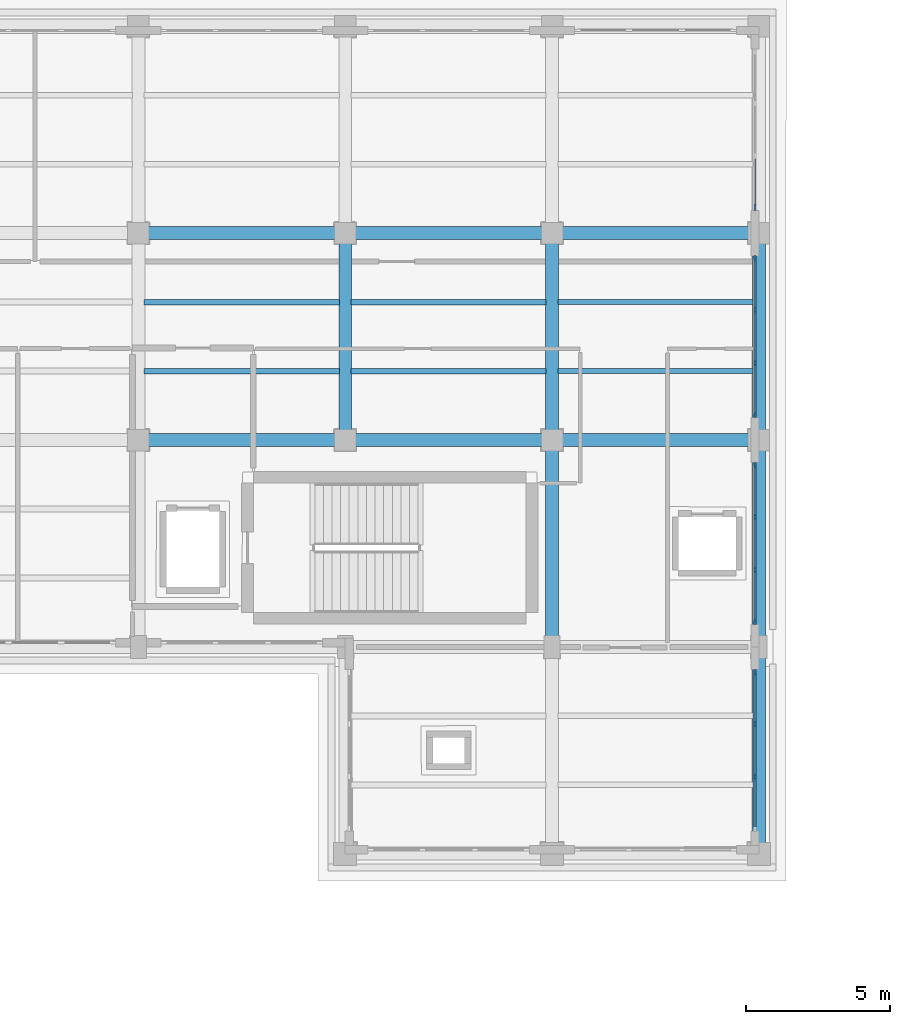
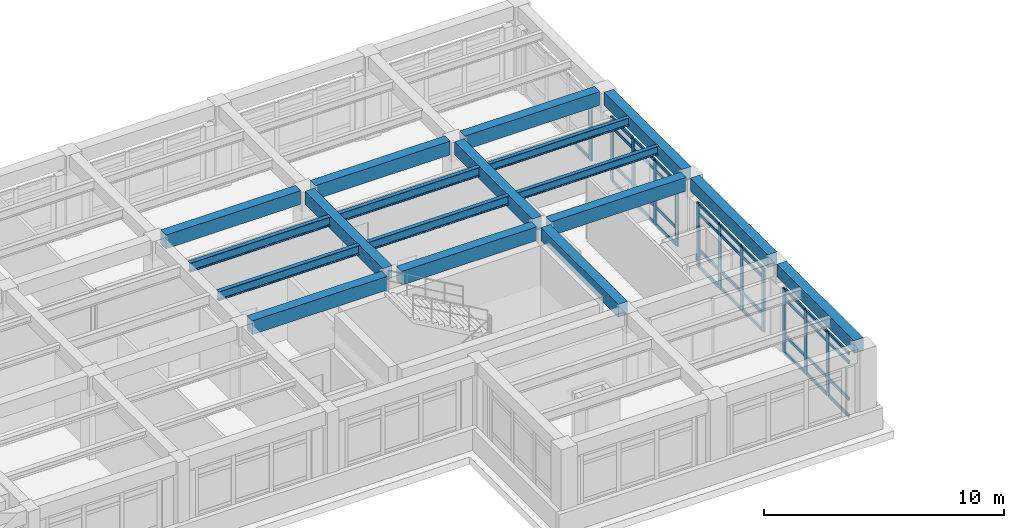
# One storey, part 28 of 67: 49 members, 18 beams, 4 elements without a shape of their own.
"""IFC4 building model written with IfcOpenShell, lengths in metres."""

from ifc_helpers import new_model, si_unit, direction, frame, origin, origin_2d, place, context, subcontext, project, spatial, rectangle, i_section, extrude, material, layer, layer_set, material_profile, profile_set, type_object, element, aggregate, save


model = new_model("IFC4")

# Units and contexts
model_context = context("Model", 3, precision=1e-05, world=origin(), true_north=direction((0.0, 1.0)))
body_context = subcontext(model_context, "Body", "Model", "MODEL_VIEW")
ifc_project = project(units=[si_unit("LENGTHUNIT", "METRE"), si_unit("AREAUNIT", "SQUARE_METRE"), si_unit("VOLUMEUNIT", "CUBIC_METRE"), si_unit("PLANEANGLEUNIT", "RADIAN"), si_unit("MASSUNIT", "GRAM", prefix="KILO")], contexts=[model_context])

# Site, building, storey
site_placement = place(None, origin())
site = spatial("IfcSite", under=ifc_project, at=site_placement, CompositionType="ELEMENT")
building_placement = place(site_placement, origin())
building = spatial("IfcBuilding", under=site, at=building_placement, Name="Solenvale Faculty of Natural Sciences", CompositionType="ELEMENT")
storey_placement = place(building_placement, frame((0.0, 0.0, 13.5)))
storey = spatial("IfcBuildingStorey", under=building, at=storey_placement, Name="L03", CompositionType="ELEMENT", Elevation=13.5)

# Beams
ifc_material_1 = material(Name="Concrete 40 MPa", Category="concrete")
ifc_material_profile_1 = material_profile(ifc_material_1, rectangle(XDim=0.449951171875, YDim=0.64990234375, at=origin_2d()), Name="RC-BM-450x650")
ifc_profile_set_1 = profile_set([ifc_material_profile_1], Name="Concrete 40 MPa")
beam_type_1 = type_object("IfcBeamType", Name="BM-RC-450x650", PredefinedType="BEAM", material=ifc_profile_set_1)
beam_1_placement = place(storey_placement, frame((136.800048828125, 101.155029296875, 3.89501953125), z_axis=(0.0, 1.0, 0.0), x_axis=(-1.0, 0.0, 0.0)))
element("IfcBeam", 1, at=beam_1_placement, inside=storey, type_object=beam_type_1, Name="L03 Y-Girder X136.8 (100.8..108.0)", PredefinedType="BEAM", context=body_context, shape_type="SweptSolid", body=[
    extrude(rectangle(XDim=0.449951171875, YDim=0.64990234375, at=origin_2d()), origin(), (0.0, 0.0, 1.0), 6.489990234375),
])
beam_2_placement = place(storey_placement, frame((144.0, 93.97998046875, 3.89501953125), z_axis=(0.0, 1.0, 0.0), x_axis=(-1.0, 0.0, 0.0)))
element("IfcBeam", 2, at=beam_2_placement, inside=storey, type_object=beam_type_1, Name="L03 Y-Girder X144.0 (93.6..100.8)", PredefinedType="BEAM", context=body_context, shape_type="SweptSolid", body=[
    extrude(rectangle(XDim=0.449951171875, YDim=0.64990234375, at=origin_2d()), origin(), (0.0, 0.0, 1.0), 6.465087890625),
])
beam_3_placement = place(storey_placement, frame((144.0, 101.155029296875, 3.89501953125), z_axis=(0.0, 1.0, 0.0), x_axis=(-1.0, 0.0, 0.0)))
element("IfcBeam", 3, at=beam_3_placement, inside=storey, type_object=beam_type_1, Name="L03 Y-Girder X144.0 (100.8..108.0)", PredefinedType="BEAM", context=body_context, shape_type="SweptSolid", body=[
    extrude(rectangle(XDim=0.449951171875, YDim=0.64990234375, at=origin_2d()), origin(), (0.0, 0.0, 1.0), 6.489990234375),
])
beam_4_placement = place(storey_placement, frame((151.199951171875, 86.780029296875, 3.89501953125), z_axis=(0.0, 1.0, 0.0), x_axis=(-1.0, 0.0, 0.0)))
element("IfcBeam", 4, at=beam_4_placement, inside=storey, type_object=beam_type_1, Name="L03 Y-Girder X151.2 (86.4..93.6)", PredefinedType="BEAM", context=body_context, shape_type="SweptSolid", body=[
    extrude(rectangle(XDim=0.449951171875, YDim=0.64990234375, at=origin_2d()), origin(), (0.0, 0.0, 1.0), 6.43994140625),
])
beam_5_placement = place(storey_placement, frame((151.199951171875, 93.97998046875, 3.89501953125), z_axis=(0.0, 1.0, 0.0), x_axis=(-1.0, 0.0, 0.0)))
element("IfcBeam", 5, at=beam_5_placement, inside=storey, type_object=beam_type_1, Name="L03 Y-Girder X151.2 (93.6..100.8)", PredefinedType="BEAM", context=body_context, shape_type="SweptSolid", body=[
    extrude(rectangle(XDim=0.449951171875, YDim=0.64990234375, at=origin_2d()), origin(), (0.0, 0.0, 1.0), 6.465087890625),
])
beam_6_placement = place(storey_placement, frame((151.199951171875, 101.155029296875, 3.89501953125), z_axis=(0.0, 1.0, 0.0), x_axis=(-1.0, 0.0, 0.0)))
element("IfcBeam", 6, at=beam_6_placement, inside=storey, type_object=beam_type_1, Name="L03 Y-Girder X151.2 (100.8..108.0)", PredefinedType="BEAM", context=body_context, shape_type="SweptSolid", body=[
    extrude(rectangle(XDim=0.449951171875, YDim=0.64990234375, at=origin_2d()), origin(), (0.0, 0.0, 1.0), 6.489990234375),
])
ifc_material_profile_2 = material_profile(ifc_material_1, rectangle(XDim=0.449951171875, YDim=0.699951171875, at=origin_2d()), Name="RC-BM-450x700")
ifc_profile_set_2 = profile_set([ifc_material_profile_2], Name="Concrete 40 MPa")
beam_type_2 = type_object("IfcBeamType", Name="BM-RC-450x700", PredefinedType="BEAM", material=ifc_profile_set_2)
for number, where, z_axis, x_axis, name in (
    (7, (129.955078125, 100.800048828125, 3.8701171875), (1.0, 0.0, 0.0), (0.0, 1.0, 0.0), "L03 X-Girder Y100.8 (129.6..136.8)"),
    (8, (137.155029296875, 100.800048828125, 3.8701171875), (1.0, 0.0, 0.0), (0.0, 1.0, 0.0), "L03 X-Girder Y100.8 (136.8..144.0)"),
    (9, (144.35498046875, 100.800048828125, 3.8701171875), (1.0, 0.0, 0.0), (0.0, 1.0, 0.0), "L03 X-Girder Y100.8 (144.0..151.2)"),
    (10, (129.955078125, 108.0, 3.8701171875), (1.0, 0.0, 0.0), (0.0, 1.0, 0.0), "L03 X-Girder Y108.0 (129.6..136.8)"),
    (11, (137.155029296875, 108.0, 3.8701171875), (1.0, 0.0, 0.0), (0.0, 1.0, 0.0), "L03 X-Girder Y108.0 (136.8..144.0)"),
    (12, (144.35498046875, 108.0, 3.8701171875), (1.0, 0.0, 0.0), (0.0, 1.0, 0.0), "L03 X-Girder Y108.0 (144.0..151.2)"),
):
    element("IfcBeam", number, at=place(storey_placement, frame(where, z_axis=z_axis, x_axis=x_axis)), inside=storey, type_object=beam_type_2, Name=name, PredefinedType="BEAM", context=body_context, shape_type="SweptSolid", body=[
        extrude(rectangle(XDim=0.449951171875, YDim=0.699951171875, at=origin_2d()), origin(), (0.0, 0.0, 1.0), 6.489990234375),
    ])
ifc_material_2 = material(Name="Steel S355", Category="steel")
ifc_material_profile_3 = material_profile(ifc_material_2, i_section(OverallWidth=0.180908203125, OverallDepth=0.4169921875, WebThickness=0.010986328125, FlangeThickness=0.018310546875, FilletRadius=0.01611328125, at=origin_2d()), Name="W410x85")
ifc_profile_set_3 = profile_set([ifc_material_profile_3], Name="Steel S355")
beam_type_3 = type_object("IfcBeamType", Name="BM-STL-W410x85", PredefinedType="JOIST", material=ifc_profile_set_3)
for number, where, z_axis, x_axis, name in (
    (13, (144.205078125, 103.199951171875, 4.011474609375), (1.0, 0.0, 0.0), (0.0, 1.0, 0.0), "L03 Composite Floor Joist (21,15).1"),
    (14, (144.205078125, 105.60009765625, 4.011474609375), (1.0, 0.0, 0.0), (0.0, 1.0, 0.0), "L03 Composite Floor Joist (21,15).2"),
):
    element("IfcBeam", number, at=place(storey_placement, frame(where, z_axis=z_axis, x_axis=x_axis)), inside=storey, type_object=beam_type_3, Name=name, PredefinedType="JOIST", context=body_context, shape_type="SweptSolid", body=[
        extrude(i_section(OverallWidth=0.180908203125, OverallDepth=0.4169921875, WebThickness=0.010986328125, FlangeThickness=0.018310546875, FilletRadius=0.01611328125, at=origin_2d()), origin(), (0.0, 0.0, 1.0), 6.7900390625),
    ])
ifc_material_profile_4 = material_profile(ifc_material_2, i_section(OverallWidth=0.194091796875, OverallDepth=0.468994140625, WebThickness=0.0126953125, FlangeThickness=0.0205078125, FilletRadius=0.01806640625, at=origin_2d()), Name="W460x106")
ifc_profile_set_4 = profile_set([ifc_material_profile_4], Name="Steel S355")
beam_type_4 = type_object("IfcBeamType", Name="BM-STL-W460x106", PredefinedType="JOIST", material=ifc_profile_set_4)
for number, where, z_axis, x_axis, name in (
    (15, (129.804931640625, 103.199951171875, 3.985595703125), (1.0, 0.0, 0.0), (0.0, 1.0, 0.0), "L03 Composite Floor Joist (19,15).1"),
    (16, (129.804931640625, 105.60009765625, 3.985595703125), (1.0, 0.0, 0.0), (0.0, 1.0, 0.0), "L03 Composite Floor Joist (19,15).2"),
):
    element("IfcBeam", number, at=place(storey_placement, frame(where, z_axis=z_axis, x_axis=x_axis)), inside=storey, type_object=beam_type_4, Name=name, PredefinedType="JOIST", context=body_context, shape_type="SweptSolid", body=[
        extrude(i_section(OverallWidth=0.194091796875, OverallDepth=0.468994140625, WebThickness=0.0126953125, FlangeThickness=0.0205078125, FilletRadius=0.01806640625, at=origin_2d()), origin(), (0.0, 0.0, 1.0), 6.7900390625),
    ])
ifc_material_profile_5 = material_profile(ifc_material_2, i_section(OverallWidth=0.19091796875, OverallDepth=0.4599609375, WebThickness=0.010009765625, FlangeThickness=0.01611328125, FilletRadius=0.01806640625, at=origin_2d()), Name="W460x82")
ifc_profile_set_5 = profile_set([ifc_material_profile_5], Name="Steel S355")
beam_type_5 = type_object("IfcBeamType", Name="BM-STL-W460x82", PredefinedType="JOIST", material=ifc_profile_set_5)
for number, where, z_axis, x_axis, name in (
    (17, (137.0048828125, 103.199951171875, 3.989990234375), (1.0, 0.0, 0.0), (0.0, 1.0, 0.0), "L03 Composite Floor Joist (20,15).1"),
    (18, (137.0048828125, 105.60009765625, 3.989990234375), (1.0, 0.0, 0.0), (0.0, 1.0, 0.0), "L03 Composite Floor Joist (20,15).2"),
):
    element("IfcBeam", number, at=place(storey_placement, frame(where, z_axis=z_axis, x_axis=x_axis)), inside=storey, type_object=beam_type_5, Name=name, PredefinedType="JOIST", context=body_context, shape_type="SweptSolid", body=[
        extrude(i_section(OverallWidth=0.19091796875, OverallDepth=0.4599609375, WebThickness=0.010009765625, FlangeThickness=0.01611328125, FilletRadius=0.01806640625, at=origin_2d()), origin(), (0.0, 0.0, 1.0), 6.7900390625),
    ])

# Curtain wall, members
ifc_material_3 = material(Name="Anodised bronze aluminium", Category="aluminium")
ifc_layer = layer(ifc_material_3, 0.179931640625)
ifc_layer_set = layer_set([ifc_layer], Name="Anodised bronze aluminium")
curtain_wall_type = type_object("IfcCurtainWallType", Name="CW-TWR-MOD", PredefinedType="USERDEFINED", material=ifc_layer_set)
curtain_wall_1_placement = place(storey_placement, origin())
curtain_wall_1 = element("IfcCurtainWall", 19, at=curtain_wall_1_placement, inside=storey, type_object=curtain_wall_type, Name="L03 Curtain Wall CW-L03-P3-E2-B1", ObjectType="UNITISED CURTAIN WALL", PredefinedType="USERDEFINED")
ifc_material_profile_6 = material_profile(ifc_material_3, rectangle(XDim=0.074951171875, YDim=0.2099609375, at=origin_2d()), Name="ALU-MUL-75x210")
ifc_profile_set_6 = profile_set([ifc_material_profile_6], Name="Anodised bronze aluminium")
member_type_1 = type_object("IfcMemberType", Name="CWM-ALU-75x210", PredefinedType="MULLION", material=ifc_profile_set_6)
member_1_placement = place(storey_placement, frame((151.0576171875, 89.083251953125, 0.0), z_axis=(0.0, 0.0, 1.0), x_axis=(-1.0, 0.0, 0.0)))
member_1 = element("IfcMember", 20, at=member_1_placement, type_object=member_type_1, Name="CW-04 mullion 2", PredefinedType="MULLION", context=body_context, shape_type="SweptSolid", body=[
    extrude(rectangle(XDim=0.074951171875, YDim=0.2099609375, at=origin_2d()), origin(), (0.0, 0.0, 1.0), 3.260009765625),
])
member_2_placement = place(storey_placement, frame((151.0576171875, 90.916748046875, 0.0), z_axis=(0.0, 0.0, 1.0), x_axis=(-1.0, 0.0, 0.0)))
member_2 = element("IfcMember", 21, at=member_2_placement, type_object=member_type_1, Name="CW-04 mullion 3", PredefinedType="MULLION", context=body_context, shape_type="SweptSolid", body=[
    extrude(rectangle(XDim=0.074951171875, YDim=0.2099609375, at=origin_2d()), origin(), (0.0, 0.0, 1.0), 3.260009765625),
])
member_3_placement = place(storey_placement, frame((151.0576171875, 92.71240234375, 0.0), z_axis=(0.0, 0.0, 1.0), x_axis=(-1.0, 0.0, 0.0)))
member_3 = element("IfcMember", 22, at=member_3_placement, type_object=member_type_1, Name="CW-04 mullion 4", PredefinedType="MULLION", context=body_context, shape_type="SweptSolid", body=[
    extrude(rectangle(XDim=0.074951171875, YDim=0.2099609375, at=origin_2d()), origin(), (0.0, 0.0, 1.0), 3.260009765625),
])

curtain_wall_2_placement = place(storey_placement, origin())
curtain_wall_2 = element("IfcCurtainWall", 23, at=curtain_wall_2_placement, inside=storey, type_object=curtain_wall_type, Name="L03 Curtain Wall CW-L03-P3-E3-B1", ObjectType="UNITISED CURTAIN WALL", PredefinedType="USERDEFINED")
member_4_placement = place(storey_placement, frame((151.0576171875, 94.487548828125, 0.0), z_axis=(0.0, 0.0, 1.0), x_axis=(-1.0, 0.0, 0.0)))
member_4 = element("IfcMember", 24, at=member_4_placement, type_object=member_type_1, Name="CW-04 mullion 1", PredefinedType="MULLION", context=body_context, shape_type="SweptSolid", body=[
    extrude(rectangle(XDim=0.074951171875, YDim=0.2099609375, at=origin_2d()), origin(), (0.0, 0.0, 1.0), 3.260009765625),
])
member_5_placement = place(storey_placement, frame((151.0576171875, 96.283447265625, 0.0), z_axis=(0.0, 0.0, 1.0), x_axis=(-1.0, 0.0, 0.0)))
member_5 = element("IfcMember", 25, at=member_5_placement, type_object=member_type_1, Name="CW-04 mullion 2", PredefinedType="MULLION", context=body_context, shape_type="SweptSolid", body=[
    extrude(rectangle(XDim=0.074951171875, YDim=0.2099609375, at=origin_2d()), origin(), (0.0, 0.0, 1.0), 3.260009765625),
])
member_6_placement = place(storey_placement, frame((151.0576171875, 98.11669921875, 0.0), z_axis=(0.0, 0.0, 1.0), x_axis=(-1.0, 0.0, 0.0)))
member_6 = element("IfcMember", 26, at=member_6_placement, type_object=member_type_1, Name="CW-04 mullion 3", PredefinedType="MULLION", context=body_context, shape_type="SweptSolid", body=[
    extrude(rectangle(XDim=0.074951171875, YDim=0.2099609375, at=origin_2d()), origin(), (0.0, 0.0, 1.0), 3.260009765625),
])
member_7_placement = place(storey_placement, frame((151.0576171875, 99.91259765625, 0.0), z_axis=(0.0, 0.0, 1.0), x_axis=(-1.0, 0.0, 0.0)))
member_7 = element("IfcMember", 27, at=member_7_placement, type_object=member_type_1, Name="CW-04 mullion 4", PredefinedType="MULLION", context=body_context, shape_type="SweptSolid", body=[
    extrude(rectangle(XDim=0.074951171875, YDim=0.2099609375, at=origin_2d()), origin(), (0.0, 0.0, 1.0), 3.260009765625),
])

curtain_wall_3_placement = place(storey_placement, origin())
curtain_wall_3 = element("IfcCurtainWall", 28, at=curtain_wall_3_placement, inside=storey, type_object=curtain_wall_type, Name="L03 Curtain Wall CW-L03-P3-E3-B2", ObjectType="UNITISED CURTAIN WALL", PredefinedType="USERDEFINED")
member_8_placement = place(storey_placement, frame((151.0576171875, 101.6875, 0.0), z_axis=(0.0, 0.0, 1.0), x_axis=(-1.0, 0.0, 0.0)))
member_8 = element("IfcMember", 29, at=member_8_placement, type_object=member_type_1, Name="CW-04 mullion 1", PredefinedType="MULLION", context=body_context, shape_type="SweptSolid", body=[
    extrude(rectangle(XDim=0.074951171875, YDim=0.2099609375, at=origin_2d()), origin(), (0.0, 0.0, 1.0), 3.260009765625),
])
member_9_placement = place(storey_placement, frame((151.0576171875, 103.4833984375, 0.0), z_axis=(0.0, 0.0, 1.0), x_axis=(-1.0, 0.0, 0.0)))
member_9 = element("IfcMember", 30, at=member_9_placement, type_object=member_type_1, Name="CW-04 mullion 2", PredefinedType="MULLION", context=body_context, shape_type="SweptSolid", body=[
    extrude(rectangle(XDim=0.074951171875, YDim=0.2099609375, at=origin_2d()), origin(), (0.0, 0.0, 1.0), 3.260009765625),
])
member_10_placement = place(storey_placement, frame((151.0576171875, 105.316650390625, 0.0), z_axis=(0.0, 0.0, 1.0), x_axis=(-1.0, 0.0, 0.0)))
member_10 = element("IfcMember", 31, at=member_10_placement, type_object=member_type_1, Name="CW-04 mullion 3", PredefinedType="MULLION", context=body_context, shape_type="SweptSolid", body=[
    extrude(rectangle(XDim=0.074951171875, YDim=0.2099609375, at=origin_2d()), origin(), (0.0, 0.0, 1.0), 3.260009765625),
])
member_11_placement = place(storey_placement, frame((151.0576171875, 107.112548828125, 0.0), z_axis=(0.0, 0.0, 1.0), x_axis=(-1.0, 0.0, 0.0)))
member_11 = element("IfcMember", 32, at=member_11_placement, type_object=member_type_1, Name="CW-04 mullion 4", PredefinedType="MULLION", context=body_context, shape_type="SweptSolid", body=[
    extrude(rectangle(XDim=0.074951171875, YDim=0.2099609375, at=origin_2d()), origin(), (0.0, 0.0, 1.0), 3.260009765625),
])

# Curtain wall, member
curtain_wall_4_placement = place(storey_placement, origin())
curtain_wall_4 = element("IfcCurtainWall", 33, at=curtain_wall_4_placement, inside=storey, type_object=curtain_wall_type, Name="L03 Curtain Wall CW-L03-P3-E3-B3", ObjectType="UNITISED CURTAIN WALL", PredefinedType="USERDEFINED")
member_12_placement = place(storey_placement, frame((151.0576171875, 108.887451171875, 0.0), z_axis=(0.0, 0.0, 1.0), x_axis=(-1.0, 0.0, 0.0)))
member_12 = element("IfcMember", 34, at=member_12_placement, type_object=member_type_1, Name="CW-04 mullion 1", PredefinedType="MULLION", context=body_context, shape_type="SweptSolid", body=[
    extrude(rectangle(XDim=0.074951171875, YDim=0.2099609375, at=origin_2d()), origin(), (0.0, 0.0, 1.0), 3.260009765625),
])

# Member
ifc_material_profile_7 = material_profile(ifc_material_3, rectangle(XDim=0.074951171875, YDim=0.155029296875, at=origin_2d()), Name="ALU-TRN-75x155")
ifc_profile_set_7 = profile_set([ifc_material_profile_7], Name="Anodised bronze aluminium")
member_type_2 = type_object("IfcMemberType", Name="CWT-ALU-75x155", PredefinedType="USERDEFINED", material=ifc_profile_set_7)
member_13_placement = place(storey_placement, frame((151.0576171875, 87.324951171875, 0.03759765625), z_axis=(0.0, 1.0, 0.0), x_axis=(-1.0, 0.0, 0.0)))
member_13 = element("IfcMember", 35, at=member_13_placement, type_object=member_type_2, Name="CW-04 transom 1.1", ObjectType="TRANSOM", PredefinedType="USERDEFINED", context=body_context, shape_type="SweptSolid", body=[
    extrude(rectangle(XDim=0.074951171875, YDim=0.155029296875, at=origin_2d()), origin(), (0.0, 0.0, 1.0), 1.720947265625),
])

member_14_placement = place(storey_placement, frame((151.0576171875, 87.324951171875, 0.89990234375), z_axis=(0.0, 1.0, 0.0), x_axis=(-1.0, 0.0, 0.0)))
member_14 = element("IfcMember", 36, at=member_14_placement, type_object=member_type_2, Name="CW-04 transom 1.2", ObjectType="TRANSOM", PredefinedType="USERDEFINED", context=body_context, shape_type="SweptSolid", body=[
    extrude(rectangle(XDim=0.074951171875, YDim=0.155029296875, at=origin_2d()), origin(), (0.0, 0.0, 1.0), 1.720947265625),
])

member_15_placement = place(storey_placement, frame((151.0576171875, 87.324951171875, 2.760009765625), z_axis=(0.0, 1.0, 0.0), x_axis=(-1.0, 0.0, 0.0)))
member_15 = element("IfcMember", 37, at=member_15_placement, type_object=member_type_2, Name="CW-04 transom 1.3", ObjectType="TRANSOM", PredefinedType="USERDEFINED", context=body_context, shape_type="SweptSolid", body=[
    extrude(rectangle(XDim=0.074951171875, YDim=0.155029296875, at=origin_2d()), origin(), (0.0, 0.0, 1.0), 1.720947265625),
])

member_16_placement = place(storey_placement, frame((151.0576171875, 87.324951171875, 3.222412109375), z_axis=(0.0, 1.0, 0.0), x_axis=(-1.0, 0.0, 0.0)))
member_16 = element("IfcMember", 38, at=member_16_placement, type_object=member_type_2, Name="CW-04 transom 1.4", ObjectType="TRANSOM", PredefinedType="USERDEFINED", context=body_context, shape_type="SweptSolid", body=[
    extrude(rectangle(XDim=0.074951171875, YDim=0.155029296875, at=origin_2d()), origin(), (0.0, 0.0, 1.0), 1.720947265625),
])

member_17_placement = place(storey_placement, frame((151.0576171875, 89.120849609375, 0.03759765625), z_axis=(0.0, 1.0, 0.0), x_axis=(-1.0, 0.0, 0.0)))
member_17 = element("IfcMember", 39, at=member_17_placement, type_object=member_type_2, Name="CW-04 transom 2.1", ObjectType="TRANSOM", PredefinedType="USERDEFINED", context=body_context, shape_type="SweptSolid", body=[
    extrude(rectangle(XDim=0.074951171875, YDim=0.155029296875, at=origin_2d()), origin(), (0.0, 0.0, 1.0), 1.75830078125),
])

member_18_placement = place(storey_placement, frame((151.0576171875, 89.120849609375, 0.89990234375), z_axis=(0.0, 1.0, 0.0), x_axis=(-1.0, 0.0, 0.0)))
member_18 = element("IfcMember", 40, at=member_18_placement, type_object=member_type_2, Name="CW-04 transom 2.2", ObjectType="TRANSOM", PredefinedType="USERDEFINED", context=body_context, shape_type="SweptSolid", body=[
    extrude(rectangle(XDim=0.074951171875, YDim=0.155029296875, at=origin_2d()), origin(), (0.0, 0.0, 1.0), 1.75830078125),
])

member_19_placement = place(storey_placement, frame((151.0576171875, 89.120849609375, 2.760009765625), z_axis=(0.0, 1.0, 0.0), x_axis=(-1.0, 0.0, 0.0)))
member_19 = element("IfcMember", 41, at=member_19_placement, type_object=member_type_2, Name="CW-04 transom 2.3", ObjectType="TRANSOM", PredefinedType="USERDEFINED", context=body_context, shape_type="SweptSolid", body=[
    extrude(rectangle(XDim=0.074951171875, YDim=0.155029296875, at=origin_2d()), origin(), (0.0, 0.0, 1.0), 1.75830078125),
])

member_20_placement = place(storey_placement, frame((151.0576171875, 89.120849609375, 3.222412109375), z_axis=(0.0, 1.0, 0.0), x_axis=(-1.0, 0.0, 0.0)))
member_20 = element("IfcMember", 42, at=member_20_placement, type_object=member_type_2, Name="CW-04 transom 2.4", ObjectType="TRANSOM", PredefinedType="USERDEFINED", context=body_context, shape_type="SweptSolid", body=[
    extrude(rectangle(XDim=0.074951171875, YDim=0.155029296875, at=origin_2d()), origin(), (0.0, 0.0, 1.0), 1.75830078125),
])

member_21_placement = place(storey_placement, frame((151.0576171875, 90.9541015625, 0.03759765625), z_axis=(0.0, 1.0, 0.0), x_axis=(-1.0, 0.0, 0.0)))
member_21 = element("IfcMember", 43, at=member_21_placement, type_object=member_type_2, Name="CW-04 transom 3.1", ObjectType="TRANSOM", PredefinedType="USERDEFINED", context=body_context, shape_type="SweptSolid", body=[
    extrude(rectangle(XDim=0.074951171875, YDim=0.155029296875, at=origin_2d()), origin(), (0.0, 0.0, 1.0), 1.720947265625),
])

member_22_placement = place(storey_placement, frame((151.0576171875, 90.9541015625, 0.89990234375), z_axis=(0.0, 1.0, 0.0), x_axis=(-1.0, 0.0, 0.0)))
member_22 = element("IfcMember", 44, at=member_22_placement, type_object=member_type_2, Name="CW-04 transom 3.2", ObjectType="TRANSOM", PredefinedType="USERDEFINED", context=body_context, shape_type="SweptSolid", body=[
    extrude(rectangle(XDim=0.074951171875, YDim=0.155029296875, at=origin_2d()), origin(), (0.0, 0.0, 1.0), 1.720947265625),
])

member_23_placement = place(storey_placement, frame((151.0576171875, 90.9541015625, 2.760009765625), z_axis=(0.0, 1.0, 0.0), x_axis=(-1.0, 0.0, 0.0)))
member_23 = element("IfcMember", 45, at=member_23_placement, type_object=member_type_2, Name="CW-04 transom 3.3", ObjectType="TRANSOM", PredefinedType="USERDEFINED", context=body_context, shape_type="SweptSolid", body=[
    extrude(rectangle(XDim=0.074951171875, YDim=0.155029296875, at=origin_2d()), origin(), (0.0, 0.0, 1.0), 1.720947265625),
])

member_24_placement = place(storey_placement, frame((151.0576171875, 90.9541015625, 3.222412109375), z_axis=(0.0, 1.0, 0.0), x_axis=(-1.0, 0.0, 0.0)))
member_24 = element("IfcMember", 46, at=member_24_placement, type_object=member_type_2, Name="CW-04 transom 3.4", ObjectType="TRANSOM", PredefinedType="USERDEFINED", context=body_context, shape_type="SweptSolid", body=[
    extrude(rectangle(XDim=0.074951171875, YDim=0.155029296875, at=origin_2d()), origin(), (0.0, 0.0, 1.0), 1.720947265625),
])

aggregate(curtain_wall_1, [member_1, member_2, member_3, member_13, member_14, member_15, member_16, member_17, member_18, member_19, member_20, member_21, member_22, member_23, member_24])

member_25_placement = place(storey_placement, frame((151.0576171875, 94.52490234375, 0.03759765625), z_axis=(0.0, 1.0, 0.0), x_axis=(-1.0, 0.0, 0.0)))
member_25 = element("IfcMember", 47, at=member_25_placement, type_object=member_type_2, Name="CW-04 transom 1.1", ObjectType="TRANSOM", PredefinedType="USERDEFINED", context=body_context, shape_type="SweptSolid", body=[
    extrude(rectangle(XDim=0.074951171875, YDim=0.155029296875, at=origin_2d()), origin(), (0.0, 0.0, 1.0), 1.720947265625),
])

member_26_placement = place(storey_placement, frame((151.0576171875, 94.52490234375, 0.89990234375), z_axis=(0.0, 1.0, 0.0), x_axis=(-1.0, 0.0, 0.0)))
member_26 = element("IfcMember", 48, at=member_26_placement, type_object=member_type_2, Name="CW-04 transom 1.2", ObjectType="TRANSOM", PredefinedType="USERDEFINED", context=body_context, shape_type="SweptSolid", body=[
    extrude(rectangle(XDim=0.074951171875, YDim=0.155029296875, at=origin_2d()), origin(), (0.0, 0.0, 1.0), 1.720947265625),
])

member_27_placement = place(storey_placement, frame((151.0576171875, 94.52490234375, 2.760009765625), z_axis=(0.0, 1.0, 0.0), x_axis=(-1.0, 0.0, 0.0)))
member_27 = element("IfcMember", 49, at=member_27_placement, type_object=member_type_2, Name="CW-04 transom 1.3", ObjectType="TRANSOM", PredefinedType="USERDEFINED", context=body_context, shape_type="SweptSolid", body=[
    extrude(rectangle(XDim=0.074951171875, YDim=0.155029296875, at=origin_2d()), origin(), (0.0, 0.0, 1.0), 1.720947265625),
])

member_28_placement = place(storey_placement, frame((151.0576171875, 94.52490234375, 3.222412109375), z_axis=(0.0, 1.0, 0.0), x_axis=(-1.0, 0.0, 0.0)))
member_28 = element("IfcMember", 50, at=member_28_placement, type_object=member_type_2, Name="CW-04 transom 1.4", ObjectType="TRANSOM", PredefinedType="USERDEFINED", context=body_context, shape_type="SweptSolid", body=[
    extrude(rectangle(XDim=0.074951171875, YDim=0.155029296875, at=origin_2d()), origin(), (0.0, 0.0, 1.0), 1.720947265625),
])

member_29_placement = place(storey_placement, frame((151.0576171875, 96.32080078125, 0.03759765625), z_axis=(0.0, 1.0, 0.0), x_axis=(-1.0, 0.0, 0.0)))
member_29 = element("IfcMember", 51, at=member_29_placement, type_object=member_type_2, Name="CW-04 transom 2.1", ObjectType="TRANSOM", PredefinedType="USERDEFINED", context=body_context, shape_type="SweptSolid", body=[
    extrude(rectangle(XDim=0.074951171875, YDim=0.155029296875, at=origin_2d()), origin(), (0.0, 0.0, 1.0), 1.75830078125),
])

member_30_placement = place(storey_placement, frame((151.0576171875, 96.32080078125, 0.89990234375), z_axis=(0.0, 1.0, 0.0), x_axis=(-1.0, 0.0, 0.0)))
member_30 = element("IfcMember", 52, at=member_30_placement, type_object=member_type_2, Name="CW-04 transom 2.2", ObjectType="TRANSOM", PredefinedType="USERDEFINED", context=body_context, shape_type="SweptSolid", body=[
    extrude(rectangle(XDim=0.074951171875, YDim=0.155029296875, at=origin_2d()), origin(), (0.0, 0.0, 1.0), 1.75830078125),
])

member_31_placement = place(storey_placement, frame((151.0576171875, 96.32080078125, 2.760009765625), z_axis=(0.0, 1.0, 0.0), x_axis=(-1.0, 0.0, 0.0)))
member_31 = element("IfcMember", 53, at=member_31_placement, type_object=member_type_2, Name="CW-04 transom 2.3", ObjectType="TRANSOM", PredefinedType="USERDEFINED", context=body_context, shape_type="SweptSolid", body=[
    extrude(rectangle(XDim=0.074951171875, YDim=0.155029296875, at=origin_2d()), origin(), (0.0, 0.0, 1.0), 1.75830078125),
])

member_32_placement = place(storey_placement, frame((151.0576171875, 96.32080078125, 3.222412109375), z_axis=(0.0, 1.0, 0.0), x_axis=(-1.0, 0.0, 0.0)))
member_32 = element("IfcMember", 54, at=member_32_placement, type_object=member_type_2, Name="CW-04 transom 2.4", ObjectType="TRANSOM", PredefinedType="USERDEFINED", context=body_context, shape_type="SweptSolid", body=[
    extrude(rectangle(XDim=0.074951171875, YDim=0.155029296875, at=origin_2d()), origin(), (0.0, 0.0, 1.0), 1.75830078125),
])

member_33_placement = place(storey_placement, frame((151.0576171875, 98.154052734375, 0.03759765625), z_axis=(0.0, 1.0, 0.0), x_axis=(-1.0, 0.0, 0.0)))
member_33 = element("IfcMember", 55, at=member_33_placement, type_object=member_type_2, Name="CW-04 transom 3.1", ObjectType="TRANSOM", PredefinedType="USERDEFINED", context=body_context, shape_type="SweptSolid", body=[
    extrude(rectangle(XDim=0.074951171875, YDim=0.155029296875, at=origin_2d()), origin(), (0.0, 0.0, 1.0), 1.720947265625),
])

member_34_placement = place(storey_placement, frame((151.0576171875, 98.154052734375, 0.89990234375), z_axis=(0.0, 1.0, 0.0), x_axis=(-1.0, 0.0, 0.0)))
member_34 = element("IfcMember", 56, at=member_34_placement, type_object=member_type_2, Name="CW-04 transom 3.2", ObjectType="TRANSOM", PredefinedType="USERDEFINED", context=body_context, shape_type="SweptSolid", body=[
    extrude(rectangle(XDim=0.074951171875, YDim=0.155029296875, at=origin_2d()), origin(), (0.0, 0.0, 1.0), 1.720947265625),
])

member_35_placement = place(storey_placement, frame((151.0576171875, 98.154052734375, 2.760009765625), z_axis=(0.0, 1.0, 0.0), x_axis=(-1.0, 0.0, 0.0)))
member_35 = element("IfcMember", 57, at=member_35_placement, type_object=member_type_2, Name="CW-04 transom 3.3", ObjectType="TRANSOM", PredefinedType="USERDEFINED", context=body_context, shape_type="SweptSolid", body=[
    extrude(rectangle(XDim=0.074951171875, YDim=0.155029296875, at=origin_2d()), origin(), (0.0, 0.0, 1.0), 1.720947265625),
])

member_36_placement = place(storey_placement, frame((151.0576171875, 98.154052734375, 3.222412109375), z_axis=(0.0, 1.0, 0.0), x_axis=(-1.0, 0.0, 0.0)))
member_36 = element("IfcMember", 58, at=member_36_placement, type_object=member_type_2, Name="CW-04 transom 3.4", ObjectType="TRANSOM", PredefinedType="USERDEFINED", context=body_context, shape_type="SweptSolid", body=[
    extrude(rectangle(XDim=0.074951171875, YDim=0.155029296875, at=origin_2d()), origin(), (0.0, 0.0, 1.0), 1.720947265625),
])

aggregate(curtain_wall_2, [member_4, member_5, member_6, member_7, member_25, member_26, member_27, member_28, member_29, member_30, member_31, member_32, member_33, member_34, member_35, member_36])

member_37_placement = place(storey_placement, frame((151.0576171875, 101.72509765625, 0.03759765625), z_axis=(0.0, 1.0, 0.0), x_axis=(-1.0, 0.0, 0.0)))
member_37 = element("IfcMember", 59, at=member_37_placement, type_object=member_type_2, Name="CW-04 transom 1.1", ObjectType="TRANSOM", PredefinedType="USERDEFINED", context=body_context, shape_type="SweptSolid", body=[
    extrude(rectangle(XDim=0.074951171875, YDim=0.155029296875, at=origin_2d()), origin(), (0.0, 0.0, 1.0), 1.720703125),
])

member_38_placement = place(storey_placement, frame((151.0576171875, 101.72509765625, 0.89990234375), z_axis=(0.0, 1.0, 0.0), x_axis=(-1.0, 0.0, 0.0)))
member_38 = element("IfcMember", 60, at=member_38_placement, type_object=member_type_2, Name="CW-04 transom 1.2", ObjectType="TRANSOM", PredefinedType="USERDEFINED", context=body_context, shape_type="SweptSolid", body=[
    extrude(rectangle(XDim=0.074951171875, YDim=0.155029296875, at=origin_2d()), origin(), (0.0, 0.0, 1.0), 1.720703125),
])

member_39_placement = place(storey_placement, frame((151.0576171875, 101.72509765625, 2.760009765625), z_axis=(0.0, 1.0, 0.0), x_axis=(-1.0, 0.0, 0.0)))
member_39 = element("IfcMember", 61, at=member_39_placement, type_object=member_type_2, Name="CW-04 transom 1.3", ObjectType="TRANSOM", PredefinedType="USERDEFINED", context=body_context, shape_type="SweptSolid", body=[
    extrude(rectangle(XDim=0.074951171875, YDim=0.155029296875, at=origin_2d()), origin(), (0.0, 0.0, 1.0), 1.720703125),
])

member_40_placement = place(storey_placement, frame((151.0576171875, 101.72509765625, 3.222412109375), z_axis=(0.0, 1.0, 0.0), x_axis=(-1.0, 0.0, 0.0)))
member_40 = element("IfcMember", 62, at=member_40_placement, type_object=member_type_2, Name="CW-04 transom 1.4", ObjectType="TRANSOM", PredefinedType="USERDEFINED", context=body_context, shape_type="SweptSolid", body=[
    extrude(rectangle(XDim=0.074951171875, YDim=0.155029296875, at=origin_2d()), origin(), (0.0, 0.0, 1.0), 1.720703125),
])

member_41_placement = place(storey_placement, frame((151.0576171875, 103.520751953125, 0.03759765625), z_axis=(0.0, 1.0, 0.0), x_axis=(-1.0, 0.0, 0.0)))
member_41 = element("IfcMember", 63, at=member_41_placement, type_object=member_type_2, Name="CW-04 transom 2.1", ObjectType="TRANSOM", PredefinedType="USERDEFINED", context=body_context, shape_type="SweptSolid", body=[
    extrude(rectangle(XDim=0.074951171875, YDim=0.155029296875, at=origin_2d()), origin(), (0.0, 0.0, 1.0), 1.75830078125),
])

member_42_placement = place(storey_placement, frame((151.0576171875, 103.520751953125, 0.89990234375), z_axis=(0.0, 1.0, 0.0), x_axis=(-1.0, 0.0, 0.0)))
member_42 = element("IfcMember", 64, at=member_42_placement, type_object=member_type_2, Name="CW-04 transom 2.2", ObjectType="TRANSOM", PredefinedType="USERDEFINED", context=body_context, shape_type="SweptSolid", body=[
    extrude(rectangle(XDim=0.074951171875, YDim=0.155029296875, at=origin_2d()), origin(), (0.0, 0.0, 1.0), 1.75830078125),
])

member_43_placement = place(storey_placement, frame((151.0576171875, 103.520751953125, 2.760009765625), z_axis=(0.0, 1.0, 0.0), x_axis=(-1.0, 0.0, 0.0)))
member_43 = element("IfcMember", 65, at=member_43_placement, type_object=member_type_2, Name="CW-04 transom 2.3", ObjectType="TRANSOM", PredefinedType="USERDEFINED", context=body_context, shape_type="SweptSolid", body=[
    extrude(rectangle(XDim=0.074951171875, YDim=0.155029296875, at=origin_2d()), origin(), (0.0, 0.0, 1.0), 1.75830078125),
])

member_44_placement = place(storey_placement, frame((151.0576171875, 103.520751953125, 3.222412109375), z_axis=(0.0, 1.0, 0.0), x_axis=(-1.0, 0.0, 0.0)))
member_44 = element("IfcMember", 66, at=member_44_placement, type_object=member_type_2, Name="CW-04 transom 2.4", ObjectType="TRANSOM", PredefinedType="USERDEFINED", context=body_context, shape_type="SweptSolid", body=[
    extrude(rectangle(XDim=0.074951171875, YDim=0.155029296875, at=origin_2d()), origin(), (0.0, 0.0, 1.0), 1.75830078125),
])

member_45_placement = place(storey_placement, frame((151.0576171875, 105.354248046875, 0.03759765625), z_axis=(0.0, 1.0, 0.0), x_axis=(-1.0, 0.0, 0.0)))
member_45 = element("IfcMember", 67, at=member_45_placement, type_object=member_type_2, Name="CW-04 transom 3.1", ObjectType="TRANSOM", PredefinedType="USERDEFINED", context=body_context, shape_type="SweptSolid", body=[
    extrude(rectangle(XDim=0.074951171875, YDim=0.155029296875, at=origin_2d()), origin(), (0.0, 0.0, 1.0), 1.720703125),
])

member_46_placement = place(storey_placement, frame((151.0576171875, 105.354248046875, 0.89990234375), z_axis=(0.0, 1.0, 0.0), x_axis=(-1.0, 0.0, 0.0)))
member_46 = element("IfcMember", 68, at=member_46_placement, type_object=member_type_2, Name="CW-04 transom 3.2", ObjectType="TRANSOM", PredefinedType="USERDEFINED", context=body_context, shape_type="SweptSolid", body=[
    extrude(rectangle(XDim=0.074951171875, YDim=0.155029296875, at=origin_2d()), origin(), (0.0, 0.0, 1.0), 1.720703125),
])

member_47_placement = place(storey_placement, frame((151.0576171875, 105.354248046875, 2.760009765625), z_axis=(0.0, 1.0, 0.0), x_axis=(-1.0, 0.0, 0.0)))
member_47 = element("IfcMember", 69, at=member_47_placement, type_object=member_type_2, Name="CW-04 transom 3.3", ObjectType="TRANSOM", PredefinedType="USERDEFINED", context=body_context, shape_type="SweptSolid", body=[
    extrude(rectangle(XDim=0.074951171875, YDim=0.155029296875, at=origin_2d()), origin(), (0.0, 0.0, 1.0), 1.720703125),
])

member_48_placement = place(storey_placement, frame((151.0576171875, 105.354248046875, 3.222412109375), z_axis=(0.0, 1.0, 0.0), x_axis=(-1.0, 0.0, 0.0)))
member_48 = element("IfcMember", 70, at=member_48_placement, type_object=member_type_2, Name="CW-04 transom 3.4", ObjectType="TRANSOM", PredefinedType="USERDEFINED", context=body_context, shape_type="SweptSolid", body=[
    extrude(rectangle(XDim=0.074951171875, YDim=0.155029296875, at=origin_2d()), origin(), (0.0, 0.0, 1.0), 1.720703125),
])

aggregate(curtain_wall_3, [member_8, member_9, member_10, member_11, member_37, member_38, member_39, member_40, member_41, member_42, member_43, member_44, member_45, member_46, member_47, member_48])

member_49_placement = place(storey_placement, frame((151.0576171875, 108.925048828125, 0.03759765625), z_axis=(0.0, 1.0, 0.0), x_axis=(-1.0, 0.0, 0.0)))
member_49 = element("IfcMember", 71, at=member_49_placement, type_object=member_type_2, Name="CW-04 transom 1.1", ObjectType="TRANSOM", PredefinedType="USERDEFINED", context=body_context, shape_type="SweptSolid", body=[
    extrude(rectangle(XDim=0.074951171875, YDim=0.155029296875, at=origin_2d()), origin(), (0.0, 0.0, 1.0), 1.720703125),
])

aggregate(curtain_wall_4, [member_12, member_49])

save(model, "model.ifc")
